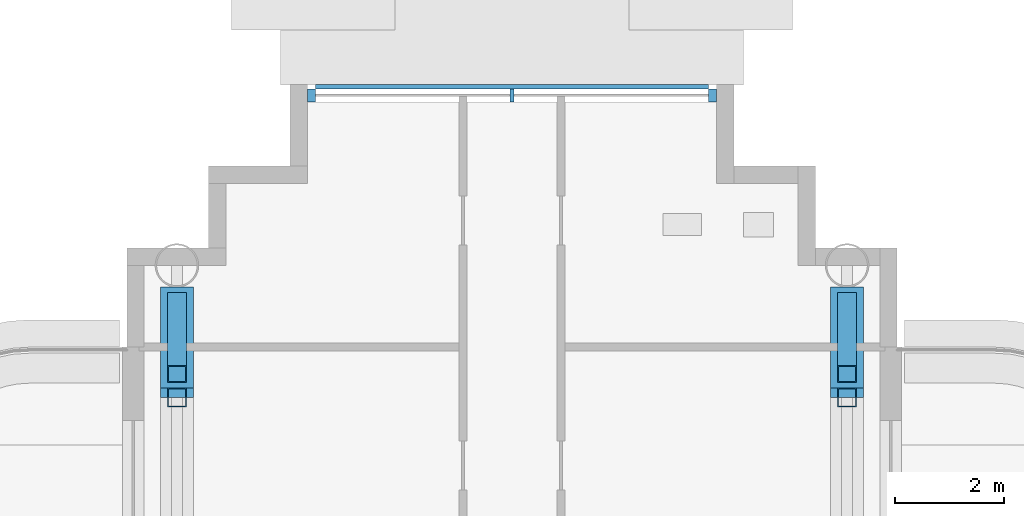
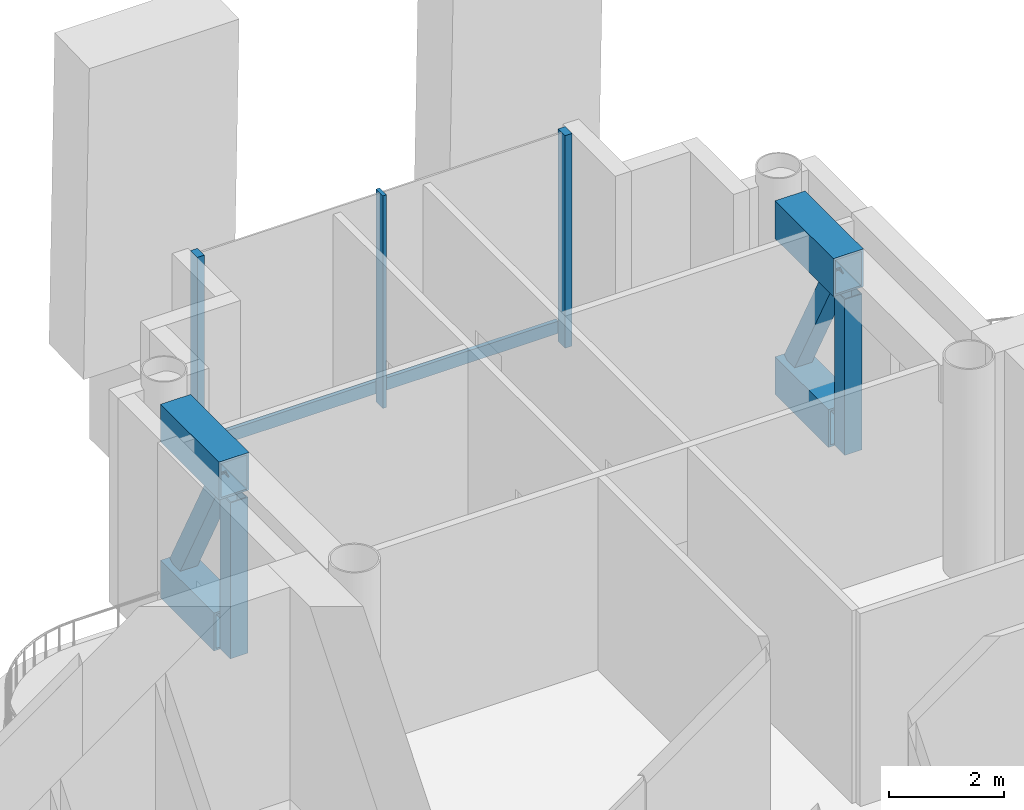
# One storey, part 6 of 26: 12 members, 1 element without a shape of its own.
"""IFC4 building model written with IfcOpenShell, lengths in metres."""

from ifc_helpers import new_model, si_unit, direction, frame, origin, origin_2d, place, context, subcontext, project, spatial, rectangle, hollow_rectangle, extrude, material, layer, layer_set, material_profile, profile_set, type_object, element, aggregate, save


model = new_model("IFC4")

# Units and contexts
model_context = context("Model", 3, precision=1e-05, world=origin(), true_north=direction((0.0, 1.0)))
body_context = subcontext(model_context, "Body", "Model", "MODEL_VIEW")
ifc_project = project(units=[si_unit("LENGTHUNIT", "METRE"), si_unit("AREAUNIT", "SQUARE_METRE"), si_unit("VOLUMEUNIT", "CUBIC_METRE"), si_unit("PLANEANGLEUNIT", "RADIAN"), si_unit("MASSUNIT", "GRAM", prefix="KILO")], contexts=[model_context])

# Site, building, storey
site_placement = place(None, origin())
site = spatial("IfcSite", under=ifc_project, at=site_placement, CompositionType="ELEMENT")
building_placement = place(site_placement, origin())
building = spatial("IfcBuilding", under=site, at=building_placement, Name="Ipe Terrace Towers", CompositionType="ELEMENT")
storey_placement = place(building_placement, frame((0.0, 0.0, 181.300048828125)))
storey = spatial("IfcBuildingStorey", under=building, at=storey_placement, Name="L50", CompositionType="ELEMENT", Elevation=181.300048828125)

# Members
ifc_material_1 = material(Name="Steel S355", Category="steel")
ifc_material_profile_1 = material_profile(ifc_material_1, hollow_rectangle(XDim=0.35009765625, YDim=0.35009765625, WallThickness=0.02001953125, at=origin_2d()), Name="OUTRIGGER-BRACE BOX 350x350x20")
ifc_profile_set_1 = profile_set([ifc_material_profile_1], Name="Steel S355")
member_type_1 = type_object("IfcMemberType", Name="OUTRIGGER-BRACE BOX 350x350x20", PredefinedType="BRACE", material=ifc_profile_set_1)
for number, where, z_axis, x_axis, name in (
    (1, (-42.14990234375, 12.094970703125, 0.780029296875), (0.0, -0.466625633815, 0.884454926984), (1.0, 0.0, 0.0), "T1-OR-L50-238 diagonal"),
    (2, (-29.85009765625, 12.094970703125, 0.780029296875), (0.0, -0.466625633815, 0.884454926984), (1.0, 0.0, 0.0), "T1-OR-L50-243 diagonal"),
):
    element("IfcMember", number, at=place(storey_placement, frame(where, z_axis=z_axis, x_axis=x_axis)), inside=storey, type_object=member_type_1, Name=name, PredefinedType="BRACE", context=body_context, shape_type="SweptSolid", body=[
        extrude(hollow_rectangle(XDim=0.35009765625, YDim=0.35009765625, WallThickness=0.02001953125, at=origin_2d()), origin(), (0.0, 0.0, 1.0), 2.871826171875),
    ])
ifc_material_2 = material(Name="Steel S355", Category="steel")
ifc_material_profile_2 = material_profile(ifc_material_2, hollow_rectangle(XDim=0.60009765625, YDim=0.800048828125, WallThickness=0.0400390625, at=origin_2d()), Name="OUTRIGGER-CHORD BOX 600x800x40")
ifc_profile_set_2 = profile_set([ifc_material_profile_2], Name="Steel S355")
member_type_2 = type_object("IfcMemberType", Name="OUTRIGGER-CHORD BOX 600x800x40", PredefinedType="CHORD", material=ifc_profile_set_2)
member_1_placement = place(storey_placement, frame((-42.14990234375, 10.5, 0.39990234375), z_axis=(0.0, 1.0, 0.0), x_axis=(-1.0, 0.0, 0.0)))
element("IfcMember", 3, at=member_1_placement, inside=storey, type_object=member_type_2, Name="T1-OR-L50-237 bottom chord", PredefinedType="CHORD", context=body_context, shape_type="SweptSolid", body=[
    extrude(hollow_rectangle(XDim=0.60009765625, YDim=0.800048828125, WallThickness=0.0400390625, at=origin_2d()), origin(), (0.0, 0.0, 1.0), 1.85009765625),
])
member_2_placement = place(storey_placement, frame((-42.14990234375, 10.324951171875, 3.699951171875), z_axis=(0.0, 1.0, 0.0), x_axis=(-1.0, 0.0, 0.0)))
element("IfcMember", 4, at=member_2_placement, inside=storey, type_object=member_type_2, Name="T1-OR-L50-241 top chord", PredefinedType="CHORD", context=body_context, shape_type="SweptSolid", body=[
    extrude(hollow_rectangle(XDim=0.60009765625, YDim=0.800048828125, WallThickness=0.0400390625, at=origin_2d()), origin(), (0.0, 0.0, 1.0), 2.025146484375),
])
member_3_placement = place(storey_placement, frame((-29.85009765625, 10.5, 0.39990234375), z_axis=(0.0, 1.0, 0.0), x_axis=(-1.0, 0.0, 0.0)))
element("IfcMember", 5, at=member_3_placement, inside=storey, type_object=member_type_2, Name="T1-OR-L50-242 bottom chord", PredefinedType="CHORD", context=body_context, shape_type="SweptSolid", body=[
    extrude(hollow_rectangle(XDim=0.60009765625, YDim=0.800048828125, WallThickness=0.0400390625, at=origin_2d()), origin(), (0.0, 0.0, 1.0), 1.85009765625),
])
member_4_placement = place(storey_placement, frame((-29.85009765625, 10.324951171875, 3.699951171875), z_axis=(0.0, 1.0, 0.0), x_axis=(-1.0, 0.0, 0.0)))
element("IfcMember", 6, at=member_4_placement, inside=storey, type_object=member_type_2, Name="T1-OR-L50-246 top chord", PredefinedType="CHORD", context=body_context, shape_type="SweptSolid", body=[
    extrude(hollow_rectangle(XDim=0.60009765625, YDim=0.800048828125, WallThickness=0.0400390625, at=origin_2d()), origin(), (0.0, 0.0, 1.0), 2.025146484375),
])
ifc_material_3 = material(Name="Steel S355", Category="steel")
ifc_material_profile_3 = material_profile(ifc_material_3, hollow_rectangle(XDim=0.35009765625, YDim=0.35009765625, WallThickness=0.02001953125, at=origin_2d()), Name="OUTRIGGER-POST BOX 350x350x20")
ifc_profile_set_3 = profile_set([ifc_material_profile_3], Name="Steel S355")
member_type_3 = type_object("IfcMemberType", Name="OUTRIGGER-POST BOX 350x350x20", PredefinedType="POST", material=ifc_profile_set_3)
for number, where, z_axis, x_axis, name in (
    (7, (-42.14990234375, 10.324951171875, 0.0), (0.0, 0.0, 1.0), (1.0, 0.0, 0.0), "T1-OR-L50-239 post"),
    (8, (-29.85009765625, 10.324951171875, 0.0), (0.0, 0.0, 1.0), (1.0, 0.0, 0.0), "T1-OR-L50-244 post"),
):
    element("IfcMember", number, at=place(storey_placement, frame(where, z_axis=z_axis, x_axis=x_axis)), inside=storey, type_object=member_type_3, Name=name, PredefinedType="POST", context=body_context, shape_type="SweptSolid", body=[
        extrude(hollow_rectangle(XDim=0.35009765625, YDim=0.35009765625, WallThickness=0.02001953125, at=origin_2d()), origin(), (0.0, 0.0, 1.0), 3.300048828125),
    ])

# Curtain wall, members
ifc_material_4 = material(Name="Aluminium alloy 6063-T6", Category="aluminium")
ifc_layer = layer(ifc_material_4, 0.320068359375)
ifc_layer_set = layer_set([ifc_layer], Name="REFUGE FLOOR CURTAIN WALL")
curtain_wall_type = type_object("IfcCurtainWallType", Name="REFUGE FLOOR CURTAIN WALL", PredefinedType="NOTDEFINED", material=ifc_layer_set)
curtain_wall_placement = place(storey_placement, origin())
curtain_wall = element("IfcCurtainWall", 9, at=curtain_wall_placement, inside=storey, type_object=curtain_wall_type, Name="T1-CW-L50-34a curtain wall", PredefinedType="NOTDEFINED")
ifc_material_5 = material(Name="Aluminium alloy 6063-T6", Category="aluminium")
ifc_material_profile_4 = material_profile(ifc_material_5, rectangle(XDim=0.239990234375, YDim=0.139892578125, at=origin_2d()), Name="REFUGE FLOOR CORNER MULLION 240 x 140")
ifc_profile_set_4 = profile_set([ifc_material_profile_4], Name="Aluminium alloy 6063-T6")
member_type_4 = type_object("IfcMemberType", Name="REFUGE FLOOR CORNER MULLION 240 x 140", PredefinedType="MULLION", material=ifc_profile_set_4)
member_5_placement = place(storey_placement, frame((-32.320068359375, 15.8701171875, -0.300048828125), z_axis=(0.0, 0.0, 1.0), x_axis=(0.0, 1.0, 0.0)))
member_5 = element("IfcMember", 10, at=member_5_placement, type_object=member_type_4, Name="T1-CW-L50-34a mullion 1", PredefinedType="MULLION", context=body_context, shape_type="SweptSolid", body=[
    extrude(rectangle(XDim=0.239990234375, YDim=0.139892578125, at=origin_2d()), origin(), (0.0, 0.0, 1.0), 4.5),
])
member_6_placement = place(storey_placement, frame((-39.679931640625, 15.8701171875, -0.300048828125), z_axis=(0.0, 0.0, 1.0), x_axis=(0.0, 1.0, 0.0)))
member_6 = element("IfcMember", 11, at=member_6_placement, type_object=member_type_4, Name="T1-CW-L50-34a mullion 3", PredefinedType="MULLION", context=body_context, shape_type="SweptSolid", body=[
    extrude(rectangle(XDim=0.239990234375, YDim=0.139892578125, at=origin_2d()), origin(), (0.0, 0.0, 1.0), 4.5),
])
ifc_material_6 = material(Name="Aluminium alloy 6063-T6", Category="aluminium")
ifc_material_profile_5 = material_profile(ifc_material_6, rectangle(XDim=0.239990234375, YDim=0.074951171875, at=origin_2d()), Name="REFUGE FLOOR MULLION 240 x 75")
ifc_profile_set_5 = profile_set([ifc_material_profile_5], Name="Aluminium alloy 6063-T6")
member_type_5 = type_object("IfcMemberType", Name="REFUGE FLOOR MULLION 240 x 75", PredefinedType="MULLION", material=ifc_profile_set_5)
member_7_placement = place(storey_placement, frame((-36.0, 15.8701171875, -0.300048828125), z_axis=(0.0, 0.0, 1.0), x_axis=(0.0, 1.0, 0.0)))
member_7 = element("IfcMember", 12, at=member_7_placement, type_object=member_type_5, Name="T1-CW-L50-34a mullion 2", PredefinedType="MULLION", context=body_context, shape_type="SweptSolid", body=[
    extrude(rectangle(XDim=0.239990234375, YDim=0.074951171875, at=origin_2d()), origin(), (0.0, 0.0, 1.0), 4.5),
])
ifc_material_7 = material(Name="Aluminium alloy 6063-T6", Category="aluminium")
ifc_material_profile_6 = material_profile(ifc_material_7, rectangle(XDim=0.080078125, YDim=0.260009765625, at=origin_2d()), Name="REFUGE FLOOR TRANSOM 80 x 260")
ifc_profile_set_6 = profile_set([ifc_material_profile_6], Name="Aluminium alloy 6063-T6")
member_type_6 = type_object("IfcMemberType", Name="REFUGE FLOOR TRANSOM 80 x 260", PredefinedType="USERDEFINED", material=ifc_profile_set_6)
member_8_placement = place(storey_placement, frame((-32.389892578125, 16.030029296875, 0.0), z_axis=(-1.0, 0.0, 0.0), x_axis=(0.0, 1.0, 0.0)))
member_8 = element("IfcMember", 13, at=member_8_placement, type_object=member_type_6, Name="T1-CW-L50-34a transom", ObjectType="TRANSOM", PredefinedType="USERDEFINED", context=body_context, shape_type="SweptSolid", body=[
    extrude(rectangle(XDim=0.080078125, YDim=0.260009765625, at=origin_2d()), origin(), (0.0, 0.0, 1.0), 7.22021484375),
])
aggregate(curtain_wall, [member_5, member_7, member_6, member_8])

save(model, "model.ifc")
